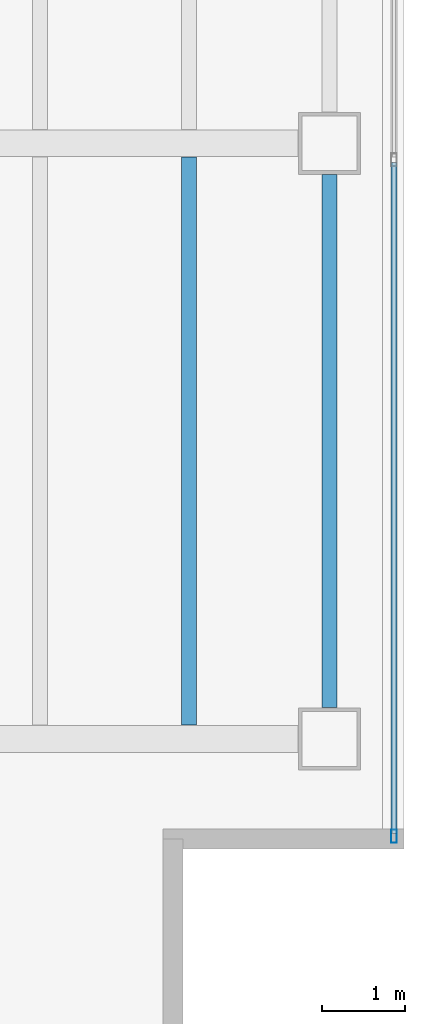
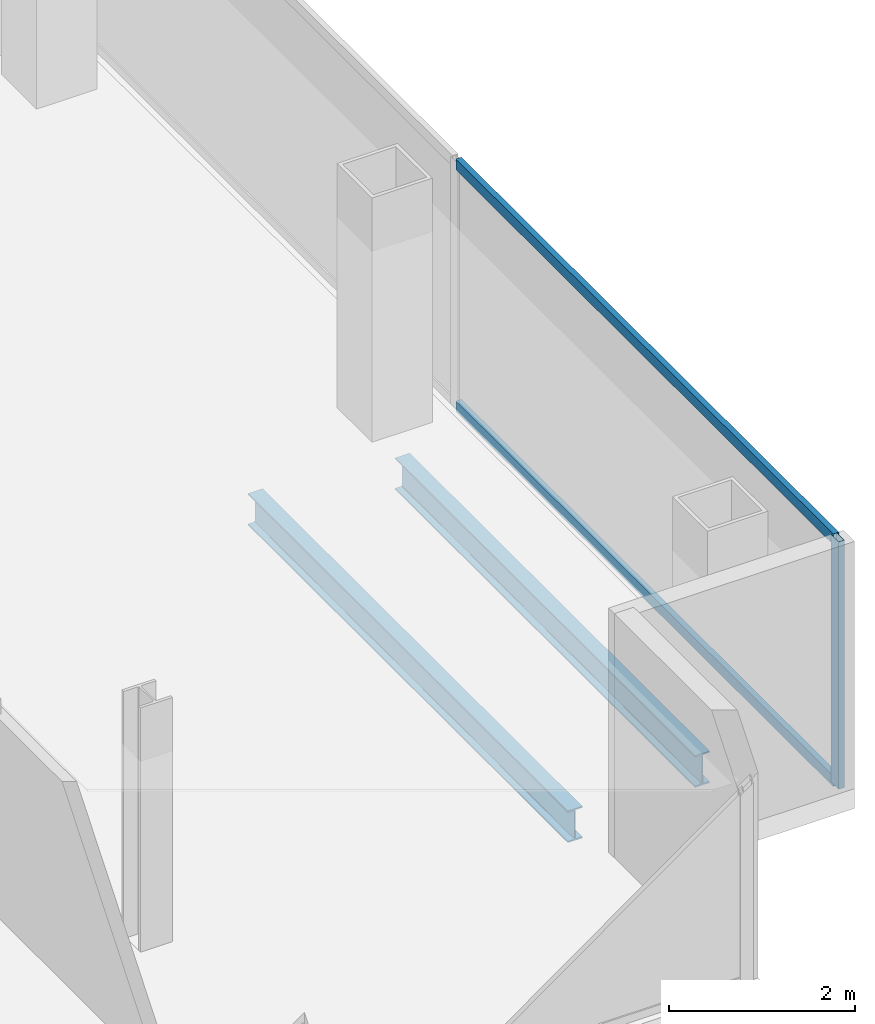
# One storey, part 12 of 23: 3 members, 2 beams, 1 element without a shape of its own.
"""IFC4 building model written with IfcOpenShell, lengths in metres."""

from ifc_helpers import new_model, si_unit, direction, frame, origin, origin_2d, place, context, subcontext, project, spatial, hollow_rectangle, i_section, extrude, material, material_profile, profile_set, type_object, element, aggregate, save


model = new_model("IFC4")

# Units and contexts
model_context = context("Model", 3, precision=1e-05, world=origin(), true_north=direction((0.0, 1.0)))
body_context = subcontext(model_context, "Body", "Model", "MODEL_VIEW")
ifc_project = project(units=[si_unit("LENGTHUNIT", "METRE"), si_unit("AREAUNIT", "SQUARE_METRE"), si_unit("VOLUMEUNIT", "CUBIC_METRE"), si_unit("PLANEANGLEUNIT", "RADIAN"), si_unit("MASSUNIT", "GRAM", prefix="KILO")], contexts=[model_context])

# Site, building, storey
site_placement = place(None, origin())
site = spatial("IfcSite", under=ifc_project, at=site_placement, CompositionType="ELEMENT")
building_placement = place(site_placement, origin())
building = spatial("IfcBuilding", under=site, at=building_placement, Name="Cobrela Telecom Tower", CompositionType="ELEMENT")
storey_placement = place(building_placement, frame((0.0, 0.0, 218.75)))
storey = spatial("IfcBuildingStorey", under=building, at=storey_placement, Name="L56", CompositionType="ELEMENT", Elevation=218.75)

# Beams
ifc_material_1 = material(Name="Steel ASTM A992 Grade 50", Category="steel")
ifc_material_profile_1 = material_profile(ifc_material_1, i_section(OverallWidth=0.179931640625, OverallDepth=0.4169921875, WebThickness=0.010986328125, FlangeThickness=0.01806640625, FilletRadius=0.011962890625, at=origin_2d()), Name="W16X57")
ifc_profile_set_1 = profile_set([ifc_material_profile_1], Name="Steel ASTM A992 Grade 50")
beam_type_1 = type_object("IfcBeamType", Name="BM-JOIST-04", PredefinedType="JOIST", material=ifc_profile_set_1)
beam_1_placement = place(storey_placement, frame((41.39990234375, 7.367431640625, -0.468505859375), z_axis=(0.0, 1.0, 0.0), x_axis=(-1.0, 0.0, 0.0)))
element("IfcBeam", 1, at=beam_1_placement, inside=storey, type_object=beam_type_1, Name="L56 Secondary Composite Floor Beam J29", PredefinedType="JOIST", context=body_context, shape_type="SweptSolid", body=[
    extrude(i_section(OverallWidth=0.179931640625, OverallDepth=0.4169921875, WebThickness=0.010986328125, FlangeThickness=0.01806640625, FilletRadius=0.011962890625, at=origin_2d()), origin(), (0.0, 0.0, 1.0), 6.864990234375),
])
ifc_material_profile_2 = material_profile(ifc_material_1, i_section(OverallWidth=0.179931640625, OverallDepth=0.4169921875, WebThickness=0.010986328125, FlangeThickness=0.01806640625, FilletRadius=0.011962890625, at=origin_2d()), Name="W16X57")
ifc_profile_set_2 = profile_set([ifc_material_profile_2], Name="Steel ASTM A992 Grade 50")
beam_type_2 = type_object("IfcBeamType", Name="BM-SPAND-06", PredefinedType="SPANDREL", material=ifc_profile_set_2)
beam_2_placement = place(storey_placement, frame((43.10009765625, 7.580078125, -0.468505859375), z_axis=(0.0, 1.0, 0.0), x_axis=(-1.0, 0.0, 0.0)))
element("IfcBeam", 2, at=beam_2_placement, inside=storey, type_object=beam_type_2, Name="L56 Perimeter Spandrel Y42", PredefinedType="SPANDREL", context=body_context, shape_type="SweptSolid", body=[
    extrude(i_section(OverallWidth=0.179931640625, OverallDepth=0.4169921875, WebThickness=0.010986328125, FlangeThickness=0.01806640625, FilletRadius=0.011962890625, at=origin_2d()), origin(), (0.0, 0.0, 1.0), 6.43994140625),
])

# Curtain wall, members
ifc_material_2 = material(Name="Anodized Bronze Aluminium 6063-T6", Category="aluminium")
curtain_wall_type = type_object("IfcCurtainWallType", Name="CW-SYS-OFF-LO", PredefinedType="USERDEFINED", material=ifc_material_2)
curtain_wall_placement = place(storey_placement, origin())
curtain_wall = element("IfcCurtainWall", 3, at=curtain_wall_placement, inside=storey, type_object=curtain_wall_type, Name="L56 Unitised Bronze Curtain Wall 14", ObjectType="UNITISED CURTAIN WALL", PredefinedType="USERDEFINED")
ifc_material_profile_3 = material_profile(ifc_material_2, hollow_rectangle(XDim=0.070068359375, YDim=0.159912109375, WallThickness=0.00390625, at=origin_2d()), Name="ALU 70x160x4")
ifc_profile_set_3 = profile_set([ifc_material_profile_3], Name="Anodized Bronze Aluminium 6063-T6")
member_type_1 = type_object("IfcMemberType", Name="CW-SYS-OFF-LO-MUL", PredefinedType="MULLION", material=ifc_profile_set_3)
member_1_placement = place(storey_placement, frame((43.8798828125, 6.02490234375, 0.0), z_axis=(0.0, 0.0, 1.0), x_axis=(1.0, 0.0, 0.0)))
member_1 = element("IfcMember", 4, at=member_1_placement, type_object=member_type_1, Name="CW-OFF-LO mullion 3", PredefinedType="MULLION", context=body_context, shape_type="SweptSolid", body=[
    extrude(hollow_rectangle(XDim=0.070068359375, YDim=0.159912109375, WallThickness=0.00390625, at=origin_2d()), origin(), (0.0, 0.0, 1.0), 3.239990234375),
])
ifc_material_profile_4 = material_profile(ifc_material_2, hollow_rectangle(XDim=0.070068359375, YDim=0.139892578125, WallThickness=0.00390625, at=origin_2d()), Name="ALU 70x140x4")
ifc_profile_set_4 = profile_set([ifc_material_profile_4], Name="Anodized Bronze Aluminium 6063-T6")
member_type_2 = type_object("IfcMemberType", Name="CW-SYS-OFF-LO-TRN", PredefinedType="USERDEFINED", material=ifc_profile_set_4)
member_2_placement = place(storey_placement, frame((43.8798828125, 14.1650390625, 0.034912109375), z_axis=(0.0, -1.0, 0.0), x_axis=(1.0, 0.0, 0.0)))
member_2 = element("IfcMember", 5, at=member_2_placement, type_object=member_type_2, Name="CW-OFF-LO transom 2.1", ObjectType="TRANSOM", PredefinedType="USERDEFINED", context=body_context, shape_type="SweptSolid", body=[
    extrude(hollow_rectangle(XDim=0.070068359375, YDim=0.139892578125, WallThickness=0.00390625, at=origin_2d()), origin(), (0.0, 0.0, 1.0), 8.10498046875),
])
member_3_placement = place(storey_placement, frame((43.8798828125, 14.1650390625, 3.205078125), z_axis=(0.0, -1.0, 0.0), x_axis=(1.0, 0.0, 0.0)))
member_3 = element("IfcMember", 6, at=member_3_placement, type_object=member_type_2, Name="CW-OFF-LO transom 2.2", ObjectType="TRANSOM", PredefinedType="USERDEFINED", context=body_context, shape_type="SweptSolid", body=[
    extrude(hollow_rectangle(XDim=0.070068359375, YDim=0.139892578125, WallThickness=0.00390625, at=origin_2d()), origin(), (0.0, 0.0, 1.0), 8.10498046875),
])
aggregate(curtain_wall, [member_1, member_2, member_3])

save(model, "model.ifc")
